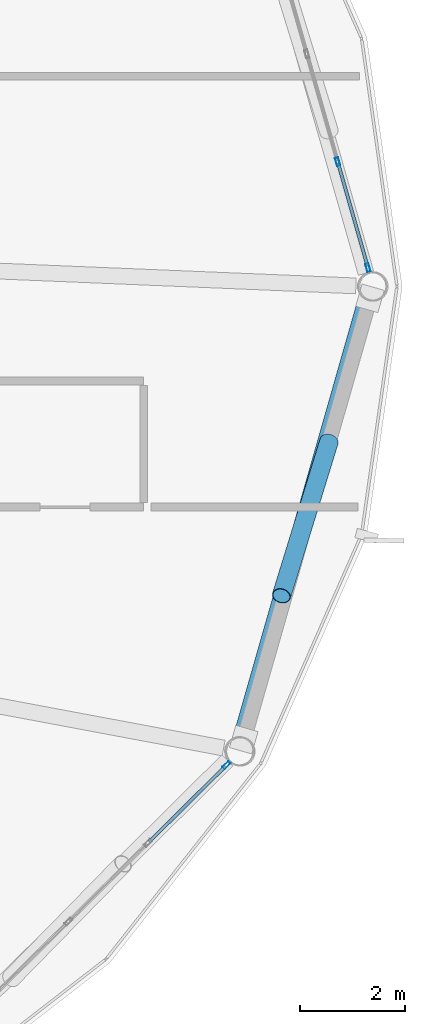
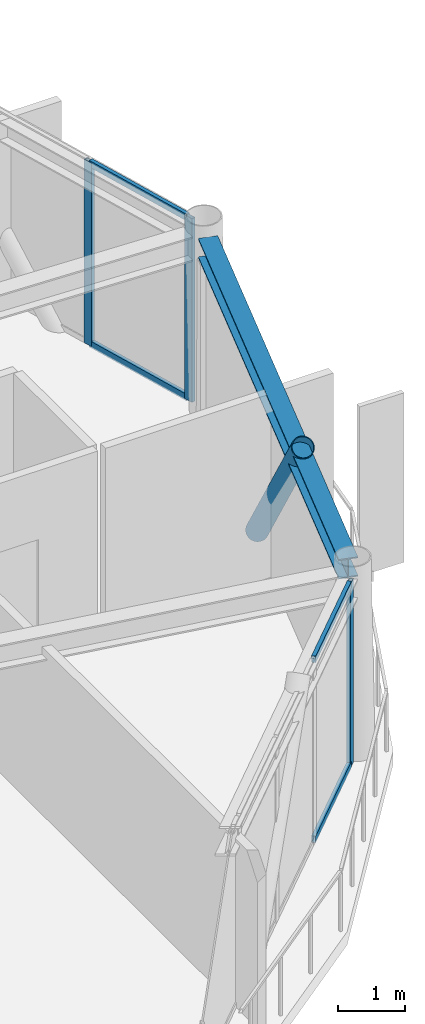
# One storey, part 14 of 24: 8 members, 1 beam, 2 elements without a shape of their own.
"""IFC4 building model written with IfcOpenShell, lengths in metres."""

from ifc_helpers import new_model, si_unit, direction, frame, origin, origin_2d, place, context, subcontext, project, spatial, hollow_rectangle, hollow_circle, i_section, extrude, material, layer, layer_set, material_profile, profile_set, type_object, element, aggregate, save


model = new_model("IFC4")

# Units and contexts
model_context = context("Model", 3, precision=1e-05, world=origin(), true_north=direction((0.0, 1.0)))
body_context = subcontext(model_context, "Body", "Model", "MODEL_VIEW")
ifc_project = project(units=[si_unit("LENGTHUNIT", "METRE"), si_unit("AREAUNIT", "SQUARE_METRE"), si_unit("VOLUMEUNIT", "CUBIC_METRE"), si_unit("PLANEANGLEUNIT", "RADIAN"), si_unit("MASSUNIT", "GRAM", prefix="KILO")], contexts=[model_context])

# Site, building, storey
site_placement = place(None, origin())
site = spatial("IfcSite", under=ifc_project, at=site_placement, CompositionType="ELEMENT")
building_placement = place(site_placement, origin())
building = spatial("IfcBuilding", under=site, at=building_placement, Name="Varnakorn Sky Granary", CompositionType="ELEMENT")
storey_placement = place(building_placement, frame((0.0, 0.0, 274.199951171875)))
storey = spatial("IfcBuildingStorey", under=building, at=storey_placement, Name="L70", CompositionType="ELEMENT", Elevation=274.199951171875)

# Beam
ifc_material_1 = material(Name="Steel S355JR", Category="steel")
ifc_material_profile_1 = material_profile(ifc_material_1, i_section(OverallWidth=0.300048828125, OverallDepth=0.360107421875, WebThickness=0.012451171875, FlangeThickness=0.0224609375, at=origin_2d()), Name="HE 360 B")
ifc_profile_set_1 = profile_set([ifc_material_profile_1], Name="Steel S355JR")
beam_type = type_object("IfcBeamType", Name="BM-SPD-Z5", PredefinedType="SPANDREL", material=ifc_profile_set_1)
beam_placement = place(storey_placement, frame((20.353515625, -8.5791015625, 3.179931640625), z_axis=(0.274557243442, 0.961570756665, 0.0), x_axis=(-0.961570756665, 0.274557243442, 0.0)))
element("IfcBeam", 1, at=beam_placement, inside=storey, type_object=beam_type, Name="Perimeter Spandrel Ring Beam RB12 L70", PredefinedType="SPANDREL", context=body_context, shape_type="SweptSolid", body=[
    extrude(i_section(OverallWidth=0.300048828125, OverallDepth=0.360107421875, WebThickness=0.012451171875, FlangeThickness=0.0224609375, at=origin_2d()), origin(), (0.0, 0.0, 1.0), 8.657470703125),
])

# Curtain wall, members
ifc_material_2 = material(Name="Anodised Bronze Aluminium Alloy 6063-T6", Category="aluminium")
ifc_layer = layer(ifc_material_2, 0.159912109375, Name="Anodised Bronze Aluminium Alloy 6063-T6")
ifc_layer_set = layer_set([ifc_layer], Name="Anodised Bronze Aluminium Alloy 6063-T6")
curtain_wall_type = type_object("IfcCurtainWallType", Name="CW-OFF-1", PredefinedType="USERDEFINED", material=ifc_layer_set)
curtain_wall_1_placement = place(storey_placement, origin())
curtain_wall_1 = element("IfcCurtainWall", 2, at=curtain_wall_1_placement, inside=storey, type_object=curtain_wall_type, Name="Unitised Curtain Wall CW6 CW-L70-B01", ObjectType="CURTAIN WALL", PredefinedType="USERDEFINED")
ifc_material_profile_2 = material_profile(ifc_material_2, hollow_rectangle(XDim=0.06494140625, YDim=0.159912109375, WallThickness=0.00341796875, at=origin_2d()), Name="ALU MULL 65x160")
ifc_profile_set_2 = profile_set([ifc_material_profile_2], Name="Anodised Bronze Aluminium Alloy 6063-T6")
member_type_1 = type_object("IfcMemberType", Name="CW-OFF-1-MULL", PredefinedType="MULLION", material=ifc_profile_set_2)
member_1_placement = place(storey_placement, frame((22.19140625, 2.375732421875, 0.0), z_axis=(0.0, 0.0, 1.0), x_axis=(0.961448226015, 0.27498601545, 0.0)))
member_1 = element("IfcMember", 3, at=member_1_placement, type_object=member_type_1, Name="CW6 mullion 4", PredefinedType="MULLION", context=body_context, shape_type="SweptSolid", body=[
    extrude(hollow_rectangle(XDim=0.06494140625, YDim=0.159912109375, WallThickness=0.00341796875, at=origin_2d()), origin(), (0.0, 0.0, 1.0), 3.360107421875),
])
member_2_placement = place(storey_placement, frame((22.7685546875, 0.357666015625, 0.0), z_axis=(0.0, 0.0, 1.0), x_axis=(0.961448226015, 0.27498601545, 0.0)))
member_2 = element("IfcMember", 4, at=member_2_placement, type_object=member_type_1, Name="CW6 mullion 5", PredefinedType="MULLION", context=body_context, shape_type="SweptSolid", body=[
    extrude(hollow_rectangle(XDim=0.06494140625, YDim=0.159912109375, WallThickness=0.00341796875, at=origin_2d()), origin(), (0.0, 0.0, 1.0), 3.360107421875),
])

# Curtain wall, member
curtain_wall_2_placement = place(storey_placement, origin())
curtain_wall_2 = element("IfcCurtainWall", 5, at=curtain_wall_2_placement, inside=storey, type_object=curtain_wall_type, Name="Unitised Curtain Wall CW6 CW-L70-B11", ObjectType="CURTAIN WALL", PredefinedType="USERDEFINED")
member_3_placement = place(storey_placement, frame((20.0751953125, -9.111572265625, 0.0), z_axis=(0.0, 0.0, 1.0), x_axis=(0.703399020646, -0.710795200993, 0.0)))
member_3 = element("IfcMember", 6, at=member_3_placement, type_object=member_type_1, Name="CW6 mullion 1", PredefinedType="MULLION", context=body_context, shape_type="SweptSolid", body=[
    extrude(hollow_rectangle(XDim=0.06494140625, YDim=0.159912109375, WallThickness=0.00341796875, at=origin_2d()), origin(), (0.0, 0.0, 1.0), 3.360107421875),
])

# Member
ifc_material_profile_3 = material_profile(ifc_material_2, hollow_rectangle(XDim=0.06494140625, YDim=0.1201171875, WallThickness=0.00341796875, at=origin_2d()), Name="ALU TRAN 65x120")
ifc_profile_set_3 = profile_set([ifc_material_profile_3], Name="Anodised Bronze Aluminium Alloy 6063-T6")
member_type_2 = type_object("IfcMemberType", Name="CW-OFF-1-TRAN", PredefinedType="USERDEFINED", material=ifc_profile_set_3)
member_4_placement = place(storey_placement, frame((22.200439453125, 2.344482421875, 0.032470703125), z_axis=(0.274990620279, -0.961446908965, 0.0), x_axis=(0.961446908965, 0.274990620279, 0.0)))
member_4 = element("IfcMember", 7, at=member_4_placement, type_object=member_type_2, Name="CW6 transom 4.1", ObjectType="TRANSOM", PredefinedType="USERDEFINED", context=body_context, shape_type="SweptSolid", body=[
    extrude(hollow_rectangle(XDim=0.06494140625, YDim=0.1201171875, WallThickness=0.00341796875, at=origin_2d()), origin(), (0.0, 0.0, 1.0), 2.033935546875),
])

member_5_placement = place(storey_placement, frame((22.200439453125, 2.344482421875, 3.32763671875), z_axis=(0.274990620279, -0.961446908965, 0.0), x_axis=(0.961446908965, 0.274990620279, 0.0)))
member_5 = element("IfcMember", 8, at=member_5_placement, type_object=member_type_2, Name="CW6 transom 4.2", ObjectType="TRANSOM", PredefinedType="USERDEFINED", context=body_context, shape_type="SweptSolid", body=[
    extrude(hollow_rectangle(XDim=0.06494140625, YDim=0.1201171875, WallThickness=0.00341796875, at=origin_2d()), origin(), (0.0, 0.0, 1.0), 2.033935546875),
])

aggregate(curtain_wall_1, [member_1, member_2, member_4, member_5])

member_6_placement = place(storey_placement, frame((20.05224609375, -9.134521484375, 0.032470703125), z_axis=(-0.710815410911, -0.703378597635, 0.0), x_axis=(0.703378597635, -0.710815410911, 0.0)))
member_6 = element("IfcMember", 9, at=member_6_placement, type_object=member_type_2, Name="CW6 transom 1.1", ObjectType="TRANSOM", PredefinedType="USERDEFINED", context=body_context, shape_type="SweptSolid", body=[
    extrude(hollow_rectangle(XDim=0.06494140625, YDim=0.1201171875, WallThickness=0.00341796875, at=origin_2d()), origin(), (0.0, 0.0, 1.0), 2.035400390625),
])

member_7_placement = place(storey_placement, frame((20.05224609375, -9.134521484375, 3.32763671875), z_axis=(-0.710815410911, -0.703378597635, 0.0), x_axis=(0.703378597635, -0.710815410911, 0.0)))
member_7 = element("IfcMember", 10, at=member_7_placement, type_object=member_type_2, Name="CW6 transom 1.2", ObjectType="TRANSOM", PredefinedType="USERDEFINED", context=body_context, shape_type="SweptSolid", body=[
    extrude(hollow_rectangle(XDim=0.06494140625, YDim=0.1201171875, WallThickness=0.00341796875, at=origin_2d()), origin(), (0.0, 0.0, 1.0), 2.035400390625),
])

aggregate(curtain_wall_2, [member_3, member_6, member_7])

ifc_material_3 = material(Name="Steel S460M", Category="steel")
ifc_material_profile_4 = material_profile(ifc_material_3, hollow_circle(Radius=0.177734375, WallThickness=0.01416015625, at=origin_2d()), Name="CHS 355.6x14")
ifc_profile_set_4 = profile_set([ifc_material_profile_4], Name="Steel S460M")
member_type_3 = type_object("IfcMemberType", Name="MB-DIAG-T5", PredefinedType="BRACE", material=ifc_profile_set_4)
member_8_placement = place(storey_placement, frame((22.027099609375, -2.949951171875, -0.1298828125), z_axis=(-0.190641797184, -0.618750594364, 0.762104590683), x_axis=(0.955667368241, -0.294448435688, 0.0)))
element("IfcMember", 11, at=member_8_placement, inside=storey, type_object=member_type_3, Name="Perimeter CHS Diagrid Brace DG12 L70", PredefinedType="BRACE", context=body_context, shape_type="SweptSolid", body=[
    extrude(hollow_circle(Radius=0.177734375, WallThickness=0.01416015625, at=origin_2d()), origin(), (0.0, 0.0, 1.0), 4.749755859375),
])

save(model, "model.ifc")
